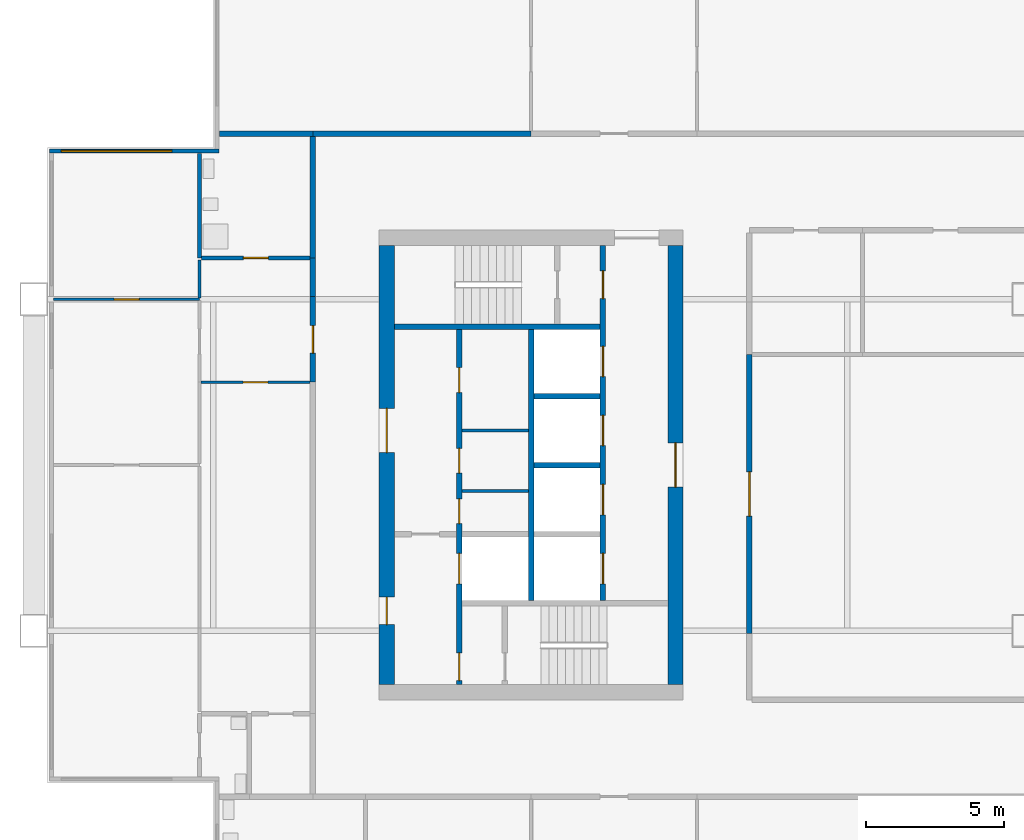
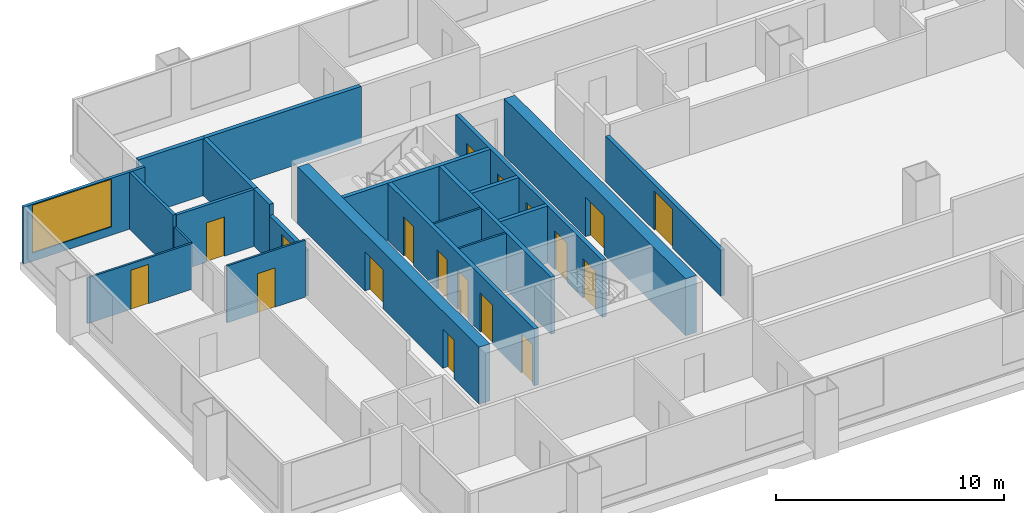
# One storey, part 3 of 8: 22 walls, 18 doors, 1 window, 19 openings.
"""IFC4 building model written with IfcOpenShell, lengths in metres."""

from ifc_helpers import new_model, si_unit, direction, frame, frame_2d, origin, place, context, subcontext, project, spatial, rectangle, extrude, material, layer, layer_set, type_object, element, fill, save


model = new_model("IFC4")

# Units and contexts
model_context = context("Model", 3, precision=1e-05, world=origin(), true_north=direction((0.0, 1.0)))
body_context = subcontext(model_context, "Body", "Model", "MODEL_VIEW")
ifc_project = project(units=[si_unit("LENGTHUNIT", "METRE"), si_unit("AREAUNIT", "SQUARE_METRE"), si_unit("VOLUMEUNIT", "CUBIC_METRE"), si_unit("PLANEANGLEUNIT", "RADIAN"), si_unit("MASSUNIT", "GRAM", prefix="KILO")], contexts=[model_context])

# Site, building, storey
site_placement = place(None, origin())
site = spatial("IfcSite", under=ifc_project, at=site_placement, CompositionType="ELEMENT")
building_placement = place(site_placement, origin())
building = spatial("IfcBuilding", under=site, at=building_placement, Name="Kitamizu Gate Tower and Museum", CompositionType="ELEMENT")
storey_placement = place(building_placement, frame((0.0, 0.0, 203.10009765625)))
storey = spatial("IfcBuildingStorey", under=building, at=storey_placement, Name="L54", CompositionType="ELEMENT", Elevation=203.10009765625)

# Wall, openings, doors
ifc_material_1 = material(Name="Concrete Fc42", Category="concrete")
ifc_layer_1 = layer(ifc_material_1, 0.550048828125)
ifc_layer_set_1 = layer_set([ifc_layer_1], Name="Concrete Fc42")
wall_type_1 = type_object("IfcWallType", Name="Core wall 550", PredefinedType="SHEAR", material=ifc_layer_set_1)
wall_1_placement = place(storey_placement, frame((12.77490234375, 22.050048828125, 0.0), z_axis=(0.0, 0.0, 1.0), x_axis=(0.0, 1.0, 0.0)))
wall_1 = element("IfcWall", 1, at=wall_1_placement, inside=storey, type_object=wall_type_1, Name="Core wall WOUT", PredefinedType="SHEAR", context=body_context, shape_type="SweptSolid", body=[
    extrude(rectangle(XDim=15.89990234375, YDim=0.550048828125, at=frame_2d((7.949951171875, 0.0))), origin(), (0.0, 0.0, 1.0), 3.0498046875),
])
opening_1_placement = place(wall_1_placement, frame((8.39990234375, 0.0, 0.0)))
opening_1 = element("IfcOpeningElement", 2, at=opening_1_placement, cuts=wall_1, Name="Opening L54-032", PredefinedType="OPENING", context=body_context, shape_type="SweptSolid", body=[
    extrude(rectangle(XDim=1.60009765625, YDim=2.10009765625, at=frame_2d((0.800048828125, 1.050048828125))), frame((0.0, 0.28515625, 0.0), z_axis=(0.0, -1.0, 0.0), x_axis=(1.0, 0.0, 0.0)), (0.0, 0.0, 1.0), 0.570068359375),
])
opening_2_placement = place(wall_1_placement, frame((2.175048828125, 0.0, 0.0)))
opening_2 = element("IfcOpeningElement", 3, at=opening_2_placement, cuts=wall_1, Name="Opening L54-033", PredefinedType="OPENING", context=body_context, shape_type="SweptSolid", body=[
    extrude(rectangle(XDim=1.0, YDim=2.10009765625, at=frame_2d((0.5, 1.050048828125))), frame((0.0, 0.28515625, 0.0), z_axis=(0.0, -1.0, 0.0), x_axis=(1.0, 0.0, 0.0)), (0.0, 0.0, 1.0), 0.570068359375),
])
ifc_material_2 = material(Name="Timber door set", Category="wood")
door_type_1 = type_object("IfcDoorType", Name="Entrance door 1600", OperationType="DOUBLE_DOOR_SINGLE_SWING", PredefinedType="DOOR", material=ifc_material_2)
door_1_placement = place(opening_1_placement, origin())
door_1 = element("IfcDoor", 4, at=door_1_placement, inside=storey, type_object=door_type_1, Name="Lobby door L54-032", OperationType="DOUBLE_DOOR_SINGLE_SWING", OverallHeight=2.10009765625, OverallWidth=1.60009765625, PredefinedType="DOOR", context=body_context, shape_type="SweptSolid", body=[
    extrude(rectangle(XDim=1.60009765625, YDim=2.10009765625, at=frame_2d((0.800048828125, 1.050048828125))), frame((0.0, 0.02490234375, 0.0), z_axis=(0.0, -1.0, 0.0), x_axis=(1.0, 0.0, 0.0)), (0.0, 0.0, 1.0), 0.050048828125),
])
fill(opening_1, door_1)
ifc_material_3 = material(Name="Hollow metal door set")
door_type_2 = type_object("IfcDoorType", Name="Fire door 1000", OperationType="NOTDEFINED", PredefinedType="DOOR", material=ifc_material_3)
door_2_placement = place(opening_2_placement, frame((1.0, 0.0, 0.0), x_axis=(-1.0, 0.0, 0.0)))
door_2 = element("IfcDoor", 5, at=door_2_placement, inside=storey, type_object=door_type_2, Name="Fire-fighting lobby door L54-033", OperationType="SINGLE_SWING_LEFT", OverallHeight=2.10009765625, OverallWidth=1.0, PredefinedType="DOOR", context=body_context, shape_type="SweptSolid", body=[
    extrude(rectangle(XDim=1.0, YDim=2.10009765625, at=frame_2d((0.5, 1.050048828125))), frame((0.0, 0.02490234375, 0.0), z_axis=(0.0, -1.0, 0.0), x_axis=(1.0, 0.0, 0.0)), (0.0, 0.0, 1.0), 0.050048828125),
])
fill(opening_2, door_2)

# Wall, opening, door
wall_2_placement = place(storey_placement, frame((23.22509765625, 22.050048828125, 0.0), z_axis=(0.0, 0.0, 1.0), x_axis=(0.0, 1.0, 0.0)))
wall_2 = element("IfcWall", 6, at=wall_2_placement, inside=storey, type_object=wall_type_1, Name="Core wall WARC", PredefinedType="SHEAR", context=body_context, shape_type="SweptSolid", body=[
    extrude(rectangle(XDim=15.89990234375, YDim=0.550048828125, at=frame_2d((7.949951171875, 0.0))), origin(), (0.0, 0.0, 1.0), 3.0498046875),
])
opening_3_placement = place(wall_2_placement, frame((7.14990234375, 0.0, 0.0)))
opening_3 = element("IfcOpeningElement", 7, at=opening_3_placement, cuts=wall_2, Name="Opening L54-035", PredefinedType="OPENING", context=body_context, shape_type="SweptSolid", body=[
    extrude(rectangle(XDim=1.60009765625, YDim=2.10009765625, at=frame_2d((0.800048828125, 1.050048828125))), frame((0.0, 0.28515625, 0.0), z_axis=(0.0, -1.0, 0.0), x_axis=(1.0, 0.0, 0.0)), (0.0, 0.0, 1.0), 0.570068359375),
])
door_3_placement = place(opening_3_placement, origin())
door_3 = element("IfcDoor", 8, at=door_3_placement, inside=storey, type_object=door_type_1, Name="Lobby door L54-035", OperationType="DOUBLE_DOOR_SINGLE_SWING", OverallHeight=2.10009765625, OverallWidth=1.60009765625, PredefinedType="DOOR", context=body_context, shape_type="SweptSolid", body=[
    extrude(rectangle(XDim=1.60009765625, YDim=2.10009765625, at=frame_2d((0.800048828125, 1.050048828125))), frame((0.0, 0.02490234375, 0.0), z_axis=(0.0, -1.0, 0.0), x_axis=(1.0, 0.0, 0.0)), (0.0, 0.0, 1.0), 0.050048828125),
])
fill(opening_3, door_3)

# Walls
ifc_material_4 = material(Name="Gypsum board on galvanised stud")
ifc_layer_2 = layer(ifc_material_4, 0.10009765625)
ifc_layer_set_2 = layer_set([ifc_layer_2], Name="Gypsum board on galvanised stud")
wall_type_2 = type_object("IfcWallType", Name="Partition 100", PredefinedType="PARTITIONING", material=ifc_layer_set_2)
for number, where, z_axis, x_axis, name in (
    (9, (15.5, 29.06005859375, 0.0), (0.0, 0.0, 1.0), (1.0, 0.0, 0.0), "Partition WPF1"),
    (10, (15.5, 31.25, 0.0), (0.0, 0.0, 1.0), (1.0, 0.0, 0.0), "Partition WPF2"),
):
    element("IfcWall", number, at=place(storey_placement, frame(where, z_axis=z_axis, x_axis=x_axis)), inside=storey, type_object=wall_type_2, Name=name, PredefinedType="PARTITIONING", context=body_context, shape_type="SweptSolid", body=[
        extrude(rectangle(XDim=2.39990234375, YDim=0.10009765625, at=frame_2d((1.199951171875, 0.0))), origin(), (0.0, 0.0, 1.0), 3.0498046875),
    ])

# Wall, opening, door
ifc_material_5 = material(Name="Gypsum board on galvanised stud")
ifc_layer_3 = layer(ifc_material_5, 0.10009765625)
ifc_layer_set_3 = layer_set([ifc_layer_3], Name="Gypsum board on galvanised stud")
wall_type_3 = type_object("IfcWallType", Name="Partition 100 NOT RATED", PredefinedType="PARTITIONING", material=ifc_layer_set_3)
wall_3_placement = place(storey_placement, frame((6.0, 36.0, 0.0), z_axis=(0.0, 0.0, 1.0), x_axis=(-1.0, 0.0, 0.0)))
wall_3 = element("IfcWall", 11, at=wall_3_placement, inside=storey, type_object=wall_type_3, Name="Partition L54-033", PredefinedType="PARTITIONING", context=body_context, shape_type="SweptSolid", body=[
    extrude(rectangle(XDim=5.280029296875, YDim=0.10009765625, at=frame_2d((2.64013671875, 0.0))), origin(), (0.0, 0.0, 1.0), 2.449951171875),
])
opening_4_placement = place(wall_3_placement, frame((2.18994140625, 0.0, 0.0)))
opening_4 = element("IfcOpeningElement", 12, at=opening_4_placement, cuts=wall_3, Name="Opening L54-018", PredefinedType="OPENING", context=body_context, shape_type="SweptSolid", body=[
    extrude(rectangle(XDim=0.89990234375, YDim=2.10009765625, at=frame_2d((0.449951171875, 1.050048828125))), frame((0.0, 0.06005859375, 0.0), z_axis=(0.0, -1.0, 0.0), x_axis=(1.0, 0.0, 0.0)), (0.0, 0.0, 1.0), 0.1201171875),
])
ifc_material_6 = material(Name="Timber door set", Category="wood")
door_type_3 = type_object("IfcDoorType", Name="Room door 900", OperationType="NOTDEFINED", PredefinedType="DOOR", material=ifc_material_6)
door_4_placement = place(opening_4_placement, frame((0.89990234375, 0.0, 0.0), x_axis=(-1.0, 0.0, 0.0)))
door_4 = element("IfcDoor", 13, at=door_4_placement, inside=storey, type_object=door_type_3, Name="Door L54-018", OperationType="SINGLE_SWING_RIGHT", OverallHeight=2.10009765625, OverallWidth=0.89990234375, PredefinedType="DOOR", context=body_context, shape_type="SweptSolid", body=[
    extrude(rectangle(XDim=0.89990234375, YDim=2.10009765625, at=frame_2d((0.449951171875, 1.050048828125))), frame((0.0, 0.02490234375, 0.0), z_axis=(0.0, -1.0, 0.0), x_axis=(1.0, 0.0, 0.0)), (0.0, 0.0, 1.0), 0.050048828125),
])
fill(opening_4, door_4)

# Wall
wall_4_placement = place(storey_placement, frame((6.0, 36.050048828125, 0.0), z_axis=(0.0, 0.0, 1.0), x_axis=(0.0, 1.0, 0.0)))
element("IfcWall", 14, at=wall_4_placement, inside=storey, type_object=wall_type_3, Name="Partition L54-036", PredefinedType="PARTITIONING", context=body_context, shape_type="SweptSolid", body=[
    extrude(rectangle(XDim=1.375, YDim=0.10009765625, at=frame_2d((0.6875, 0.0))), origin(), (0.0, 0.0, 1.0), 2.449951171875),
])

# Wall, opening, door
wall_5_placement = place(storey_placement, frame((10.0, 33.0, 0.0), z_axis=(0.0, 0.0, 1.0), x_axis=(-1.0, 0.0, 0.0)))
wall_5 = element("IfcWall", 15, at=wall_5_placement, inside=storey, type_object=wall_type_3, Name="Partition L54-042", PredefinedType="PARTITIONING", context=body_context, shape_type="SweptSolid", body=[
    extrude(rectangle(XDim=3.949951171875, YDim=0.10009765625, at=frame_2d((1.97509765625, 0.0))), origin(), (0.0, 0.0, 1.0), 3.0498046875),
])
opening_5_placement = place(wall_5_placement, frame((1.52490234375, 0.0, 0.0)))
opening_5 = element("IfcOpeningElement", 16, at=opening_5_placement, cuts=wall_5, Name="Opening L54-015", PredefinedType="OPENING", context=body_context, shape_type="SweptSolid", body=[
    extrude(rectangle(XDim=0.89990234375, YDim=2.10009765625, at=frame_2d((0.449951171875, 1.050048828125))), frame((0.0, 0.06005859375, 0.0), z_axis=(0.0, -1.0, 0.0), x_axis=(1.0, 0.0, 0.0)), (0.0, 0.0, 1.0), 0.1201171875),
])
door_5_placement = place(opening_5_placement, frame((0.89990234375, 0.0, 0.0), x_axis=(-1.0, 0.0, 0.0)))
door_5 = element("IfcDoor", 17, at=door_5_placement, inside=storey, type_object=door_type_3, Name="Door L54-015", OperationType="SINGLE_SWING_LEFT", OverallHeight=2.10009765625, OverallWidth=0.89990234375, PredefinedType="DOOR", context=body_context, shape_type="SweptSolid", body=[
    extrude(rectangle(XDim=0.89990234375, YDim=2.10009765625, at=frame_2d((0.449951171875, 1.050048828125))), frame((0.0, 0.02490234375, 0.0), z_axis=(0.0, -1.0, 0.0), x_axis=(1.0, 0.0, 0.0)), (0.0, 0.0, 1.0), 0.050048828125),
])
fill(opening_5, door_5)

# Wall
ifc_material_7 = material(Name="Gypsum board on galvanised stud")
ifc_layer_4 = layer(ifc_material_7, 0.14990234375)
ifc_layer_set_4 = layer_set([ifc_layer_4], Name="Gypsum board on galvanised stud")
wall_type_4 = type_object("IfcWallType", Name="Partition 150", PredefinedType="PARTITIONING", material=ifc_layer_set_4)
wall_6_placement = place(storey_placement, frame((6.0, 37.5, 0.0), z_axis=(0.0, 0.0, 1.0), x_axis=(0.0, 1.0, 0.0)))
element("IfcWall", 18, at=wall_6_placement, inside=storey, type_object=wall_type_4, Name="Partition L54-037", PredefinedType="PARTITIONING", context=body_context, shape_type="SweptSolid", body=[
    extrude(rectangle(XDim=3.780029296875, YDim=0.14990234375, at=frame_2d((1.89013671875, 0.0))), origin(), (0.0, 0.0, 1.0), 3.0498046875),
])

# Wall, opening, door
wall_7_placement = place(storey_placement, frame((10.0, 37.5, 0.0), z_axis=(0.0, 0.0, 1.0), x_axis=(-1.0, 0.0, 0.0)))
wall_7 = element("IfcWall", 19, at=wall_7_placement, inside=storey, type_object=wall_type_4, Name="Partition L54-045", PredefinedType="PARTITIONING", context=body_context, shape_type="SweptSolid", body=[
    extrude(rectangle(XDim=3.925048828125, YDim=0.14990234375, at=frame_2d((1.96240234375, 0.0))), origin(), (0.0, 0.0, 1.0), 3.0498046875),
])
opening_6_placement = place(wall_7_placement, frame((1.512451171875, 0.0, 0.0)))
opening_6 = element("IfcOpeningElement", 20, at=opening_6_placement, cuts=wall_7, Name="Opening L54-017", PredefinedType="OPENING", context=body_context, shape_type="SweptSolid", body=[
    extrude(rectangle(XDim=0.89990234375, YDim=2.10009765625, at=frame_2d((0.449951171875, 1.050048828125))), frame((0.0, 0.0849609375, 0.0), z_axis=(0.0, -1.0, 0.0), x_axis=(1.0, 0.0, 0.0)), (0.0, 0.0, 1.0), 0.169921875),
])
ifc_material_8 = material(Name="Timber door set", Category="wood")
door_type_4 = type_object("IfcDoorType", Name="Bathroom door 900", OperationType="NOTDEFINED", PredefinedType="DOOR", material=ifc_material_8)
door_6_placement = place(opening_6_placement, frame((0.89990234375, 0.0, 0.0), x_axis=(-1.0, 0.0, 0.0)))
door_6 = element("IfcDoor", 21, at=door_6_placement, inside=storey, type_object=door_type_4, Name="Bathroom door L54-017", OperationType="SINGLE_SWING_LEFT", OverallHeight=2.10009765625, OverallWidth=0.89990234375, PredefinedType="DOOR", context=body_context, shape_type="SweptSolid", body=[
    extrude(rectangle(XDim=0.89990234375, YDim=2.10009765625, at=frame_2d((0.449951171875, 1.050048828125))), frame((0.0, 0.02490234375, 0.0), z_axis=(0.0, -1.0, 0.0), x_axis=(1.0, 0.0, 0.0)), (0.0, 0.0, 1.0), 0.050048828125),
])
fill(opening_6, door_6)

# Walls
ifc_material_9 = material(Name="Gypsum board on galvanised stud")
ifc_layer_5 = layer(ifc_material_9, 0.199951171875)
ifc_layer_set_5 = layer_set([ifc_layer_5], Name="Gypsum board on galvanised stud")
wall_type_5 = type_object("IfcWallType", Name="Partition 200", PredefinedType="PARTITIONING", material=ifc_layer_set_5)
wall_8_placement = place(storey_placement, frame((6.719970703125, 42.0, 0.0), z_axis=(0.0, 0.0, 1.0), x_axis=(1.0, 0.0, 0.0)))
element("IfcWall", 22, at=wall_8_placement, inside=storey, type_object=wall_type_5, Name="Partition L54-018", PredefinedType="PARTITIONING", context=body_context, shape_type="SweptSolid", body=[
    extrude(rectangle(XDim=3.380126953125, YDim=0.199951171875, at=frame_2d((1.68994140625, 0.0))), origin(), (0.0, 0.0, 1.0), 3.0498046875),
])
wall_9_placement = place(storey_placement, frame((10.10009765625, 42.0, 0.0), z_axis=(0.0, 0.0, 1.0), x_axis=(1.0, 0.0, 0.0)))
element("IfcWall", 23, at=wall_9_placement, inside=storey, type_object=wall_type_5, Name="Partition L54-019", PredefinedType="PARTITIONING", context=body_context, shape_type="SweptSolid", body=[
    extrude(rectangle(XDim=7.89990234375, YDim=0.199951171875, at=frame_2d((3.949951171875, 0.0))), origin(), (0.0, 0.0, 1.0), 3.0498046875),
])

# Wall, opening, door
wall_10_placement = place(storey_placement, frame((10.10009765625, 33.0, 0.0), z_axis=(0.0, 0.0, 1.0), x_axis=(0.0, 1.0, 0.0)))
wall_10 = element("IfcWall", 24, at=wall_10_placement, inside=storey, type_object=wall_type_5, Name="Partition L54-046", PredefinedType="PARTITIONING", context=body_context, shape_type="SweptSolid", body=[
    extrude(rectangle(XDim=3.10009765625, YDim=0.199951171875, at=frame_2d((1.550048828125, 0.0))), origin(), (0.0, 0.0, 1.0), 2.449951171875),
])
opening_7_placement = place(wall_10_placement, frame((1.050048828125, 0.0, 0.0)))
opening_7 = element("IfcOpeningElement", 25, at=opening_7_placement, cuts=wall_10, Name="Opening L54-013", PredefinedType="OPENING", context=body_context, shape_type="SweptSolid", body=[
    extrude(rectangle(XDim=1.0, YDim=2.10009765625, at=frame_2d((0.5, 1.050048828125))), frame((0.0, 0.10986328125, 0.0), z_axis=(0.0, -1.0, 0.0), x_axis=(1.0, 0.0, 0.0)), (0.0, 0.0, 1.0), 0.219970703125),
])
ifc_material_10 = material(Name="Timber door set", Category="wood")
door_type_5 = type_object("IfcDoorType", Name="Flat entrance door 1000", OperationType="NOTDEFINED", PredefinedType="DOOR", material=ifc_material_10)
door_7_placement = place(opening_7_placement, origin())
door_7 = element("IfcDoor", 26, at=door_7_placement, inside=storey, type_object=door_type_5, Name="Flat entrance door L54-013", OperationType="SINGLE_SWING_RIGHT", OverallHeight=2.10009765625, OverallWidth=1.0, PredefinedType="DOOR", context=body_context, shape_type="SweptSolid", body=[
    extrude(rectangle(XDim=1.0, YDim=2.10009765625, at=frame_2d((0.5, 1.050048828125))), frame((0.0, 0.02490234375, 0.0), z_axis=(0.0, -1.0, 0.0), x_axis=(1.0, 0.0, 0.0)), (0.0, 0.0, 1.0), 0.050048828125),
])
fill(opening_7, door_7)

# Walls
wall_11_placement = place(storey_placement, frame((10.10009765625, 36.10009765625, 0.0), z_axis=(0.0, 0.0, 1.0), x_axis=(0.0, 1.0, 0.0)))
element("IfcWall", 27, at=wall_11_placement, inside=storey, type_object=wall_type_5, Name="Partition L54-047", PredefinedType="PARTITIONING", context=body_context, shape_type="SweptSolid", body=[
    extrude(rectangle(XDim=1.39990234375, YDim=0.199951171875, at=frame_2d((0.699951171875, 0.0))), origin(), (0.0, 0.0, 1.0), 3.0498046875),
])
wall_12_placement = place(storey_placement, frame((10.10009765625, 37.5, 0.0), z_axis=(0.0, 0.0, 1.0), x_axis=(0.0, 1.0, 0.0)))
element("IfcWall", 28, at=wall_12_placement, inside=storey, type_object=wall_type_5, Name="Partition L54-048", PredefinedType="PARTITIONING", context=body_context, shape_type="SweptSolid", body=[
    extrude(rectangle(XDim=4.39990234375, YDim=0.199951171875, at=frame_2d((2.199951171875, 0.0))), origin(), (0.0, 0.0, 1.0), 3.0498046875),
])

# Wall, opening, door
wall_13_placement = place(storey_placement, frame((25.89990234375, 34.0, 0.0), z_axis=(0.0, 0.0, 1.0), x_axis=(0.0, -1.0, 0.0)))
wall_13 = element("IfcWall", 29, at=wall_13_placement, inside=storey, type_object=wall_type_5, Name="Partition L54-049", PredefinedType="PARTITIONING", context=body_context, shape_type="SweptSolid", body=[
    extrude(rectangle(XDim=10.10009765625, YDim=0.199951171875, at=frame_2d((5.050048828125, 0.0))), origin(), (0.0, 0.0, 1.0), 2.449951171875),
])
opening_8_placement = place(wall_13_placement, frame((4.25, 0.0, 0.0)))
opening_8 = element("IfcOpeningElement", 30, at=opening_8_placement, cuts=wall_13, Name="Opening L54-022", PredefinedType="OPENING", context=body_context, shape_type="SweptSolid", body=[
    extrude(rectangle(XDim=1.60009765625, YDim=2.10009765625, at=frame_2d((0.800048828125, 1.050048828125))), frame((0.0, 0.10986328125, 0.0), z_axis=(0.0, -1.0, 0.0), x_axis=(1.0, 0.0, 0.0)), (0.0, 0.0, 1.0), 0.219970703125),
])
ifc_material_11 = material(Name="Timber door set", Category="wood")
door_type_6 = type_object("IfcDoorType", Name="Double door 1600", OperationType="DOUBLE_DOOR_SINGLE_SWING", PredefinedType="DOOR", material=ifc_material_11)
door_8_placement = place(opening_8_placement, origin())
door_8 = element("IfcDoor", 31, at=door_8_placement, inside=storey, type_object=door_type_6, Name="Double door L54-022", OperationType="DOUBLE_DOOR_SINGLE_SWING", OverallHeight=2.10009765625, OverallWidth=1.60009765625, PredefinedType="DOOR", context=body_context, shape_type="SweptSolid", body=[
    extrude(rectangle(XDim=1.60009765625, YDim=2.10009765625, at=frame_2d((0.800048828125, 1.050048828125))), frame((0.0, 0.02490234375, 0.0), z_axis=(0.0, -1.0, 0.0), x_axis=(1.0, 0.0, 0.0)), (0.0, 0.0, 1.0), 0.050048828125),
])
fill(opening_8, door_8)

# Wall, openings, doors
ifc_material_12 = material(Name="Concrete Fc42", Category="concrete")
ifc_layer_6 = layer(ifc_material_12, 0.199951171875)
ifc_layer_set_6 = layer_set([ifc_layer_6], Name="Concrete Fc42")
wall_type_6 = type_object("IfcWallType", Name="Shaft wall 200", PredefinedType="SOLIDWALL", material=ifc_layer_set_6)
wall_14_placement = place(storey_placement, frame((15.39990234375, 22.050048828125, 0.0), z_axis=(0.0, 0.0, 1.0), x_axis=(0.0, 1.0, 0.0)))
wall_14 = element("IfcWall", 32, at=wall_14_placement, inside=storey, type_object=wall_type_6, Name="Shaft wall WWEST", PredefinedType="SOLIDWALL", context=body_context, shape_type="SweptSolid", body=[
    extrude(rectangle(XDim=12.849853515625, YDim=0.199951171875, at=frame_2d((6.4248046875, 0.0))), origin(), (0.0, 0.0, 1.0), 3.0498046875),
])
opening_9_placement = place(wall_14_placement, frame((3.64990234375, 0.0, 0.0)))
opening_9 = element("IfcOpeningElement", 33, at=opening_9_placement, cuts=wall_14, Name="Opening LD", PredefinedType="OPENING", context=body_context, shape_type="SweptSolid", body=[
    extrude(rectangle(XDim=1.10009765625, YDim=2.10009765625, at=frame_2d((0.550048828125, 1.050048828125))), frame((0.0, 0.10986328125, 0.0), z_axis=(0.0, -1.0, 0.0), x_axis=(1.0, 0.0, 0.0)), (0.0, 0.0, 1.0), 0.219970703125),
])
opening_10_placement = place(wall_14_placement, frame((0.14990234375, 0.0, 0.0)))
opening_10 = element("IfcOpeningElement", 34, at=opening_10_placement, cuts=wall_14, Name="Opening L54-028", PredefinedType="OPENING", context=body_context, shape_type="SweptSolid", body=[
    extrude(rectangle(XDim=1.0, YDim=2.10009765625, at=frame_2d((0.5, 1.050048828125))), frame((0.0, 0.10986328125, 0.0), z_axis=(0.0, -1.0, 0.0), x_axis=(1.0, 0.0, 0.0)), (0.0, 0.0, 1.0), 0.219970703125),
])
opening_11_placement = place(wall_14_placement, frame((5.830078125, 0.0, 0.0)))
opening_11 = element("IfcOpeningElement", 35, at=opening_11_placement, cuts=wall_14, Name="Opening L54-036", PredefinedType="OPENING", context=body_context, shape_type="SweptSolid", body=[
    extrude(rectangle(XDim=0.89990234375, YDim=2.10009765625, at=frame_2d((0.449951171875, 1.050048828125))), frame((0.0, 0.10986328125, 0.0), z_axis=(0.0, -1.0, 0.0), x_axis=(1.0, 0.0, 0.0)), (0.0, 0.0, 1.0), 0.219970703125),
])
opening_12_placement = place(wall_14_placement, frame((7.655029296875, 0.0, 0.0)))
opening_12 = element("IfcOpeningElement", 36, at=opening_12_placement, cuts=wall_14, Name="Opening L54-037", PredefinedType="OPENING", context=body_context, shape_type="SweptSolid", body=[
    extrude(rectangle(XDim=0.89990234375, YDim=2.10009765625, at=frame_2d((0.449951171875, 1.050048828125))), frame((0.0, 0.10986328125, 0.0), z_axis=(0.0, -1.0, 0.0), x_axis=(1.0, 0.0, 0.0)), (0.0, 0.0, 1.0), 0.219970703125),
])
opening_13_placement = place(wall_14_placement, frame((10.574951171875, 0.0, 0.0)))
opening_13 = element("IfcOpeningElement", 37, at=opening_13_placement, cuts=wall_14, Name="Opening L54-038", PredefinedType="OPENING", context=body_context, shape_type="SweptSolid", body=[
    extrude(rectangle(XDim=0.89990234375, YDim=2.10009765625, at=frame_2d((0.449951171875, 1.050048828125))), frame((0.0, 0.10986328125, 0.0), z_axis=(0.0, -1.0, 0.0), x_axis=(1.0, 0.0, 0.0)), (0.0, 0.0, 1.0), 0.219970703125),
])
door_9_placement = place(opening_10_placement, frame((1.0, 0.0, 0.0), x_axis=(-1.0, 0.0, 0.0)))
door_9 = element("IfcDoor", 38, at=door_9_placement, inside=storey, type_object=door_type_2, Name="Stair lobby door L54-028", OperationType="SINGLE_SWING_LEFT", OverallHeight=2.10009765625, OverallWidth=1.0, PredefinedType="DOOR", context=body_context, shape_type="SweptSolid", body=[
    extrude(rectangle(XDim=1.0, YDim=2.10009765625, at=frame_2d((0.5, 1.050048828125))), frame((0.0, 0.02490234375, 0.0), z_axis=(0.0, -1.0, 0.0), x_axis=(1.0, 0.0, 0.0)), (0.0, 0.0, 1.0), 0.050048828125),
])
fill(opening_10, door_9)
ifc_material_13 = material(Name="Hollow metal door set")
door_type_7 = type_object("IfcDoorType", Name="Landing door 1100", OperationType="SLIDING_TO_LEFT", PredefinedType="DOOR", material=ifc_material_13)
door_10_placement = place(opening_9_placement, origin())
door_10 = element("IfcDoor", 39, at=door_10_placement, inside=storey, type_object=door_type_7, Name="Landing door WFF1", OperationType="SLIDING_TO_LEFT", OverallHeight=2.10009765625, OverallWidth=1.10009765625, PredefinedType="DOOR", context=body_context, shape_type="SweptSolid", body=[
    extrude(rectangle(XDim=1.10009765625, YDim=2.10009765625, at=frame_2d((0.550048828125, 1.050048828125))), frame((0.0, 0.02490234375, 0.0), z_axis=(0.0, -1.0, 0.0), x_axis=(1.0, 0.0, 0.0)), (0.0, 0.0, 1.0), 0.050048828125),
])
fill(opening_9, door_10)
ifc_material_14 = material(Name="Timber door set", Category="wood")
door_type_8 = type_object("IfcDoorType", Name="Service door 900", OperationType="NOTDEFINED", PredefinedType="DOOR", material=ifc_material_14)
door_11_placement = place(opening_11_placement, frame((0.89990234375, 0.0, 0.0), x_axis=(-1.0, 0.0, 0.0)))
door_11 = element("IfcDoor", 40, at=door_11_placement, inside=storey, type_object=door_type_8, Name="Service door L54-036", OperationType="SINGLE_SWING_RIGHT", OverallHeight=2.10009765625, OverallWidth=0.89990234375, PredefinedType="DOOR", context=body_context, shape_type="SweptSolid", body=[
    extrude(rectangle(XDim=0.89990234375, YDim=2.10009765625, at=frame_2d((0.449951171875, 1.050048828125))), frame((0.0, 0.02490234375, 0.0), z_axis=(0.0, -1.0, 0.0), x_axis=(1.0, 0.0, 0.0)), (0.0, 0.0, 1.0), 0.050048828125),
])
fill(opening_11, door_11)
door_12_placement = place(opening_12_placement, frame((0.89990234375, 0.0, 0.0), x_axis=(-1.0, 0.0, 0.0)))
door_12 = element("IfcDoor", 41, at=door_12_placement, inside=storey, type_object=door_type_8, Name="Service door L54-037", OperationType="SINGLE_SWING_LEFT", OverallHeight=2.10009765625, OverallWidth=0.89990234375, PredefinedType="DOOR", context=body_context, shape_type="SweptSolid", body=[
    extrude(rectangle(XDim=0.89990234375, YDim=2.10009765625, at=frame_2d((0.449951171875, 1.050048828125))), frame((0.0, 0.02490234375, 0.0), z_axis=(0.0, -1.0, 0.0), x_axis=(1.0, 0.0, 0.0)), (0.0, 0.0, 1.0), 0.050048828125),
])
fill(opening_12, door_12)
door_13_placement = place(opening_13_placement, frame((0.89990234375, 0.0, 0.0), x_axis=(-1.0, 0.0, 0.0)))
door_13 = element("IfcDoor", 42, at=door_13_placement, inside=storey, type_object=door_type_8, Name="Service door L54-038", OperationType="SINGLE_SWING_RIGHT", OverallHeight=2.10009765625, OverallWidth=0.89990234375, PredefinedType="DOOR", context=body_context, shape_type="SweptSolid", body=[
    extrude(rectangle(XDim=0.89990234375, YDim=2.10009765625, at=frame_2d((0.449951171875, 1.050048828125))), frame((0.0, 0.02490234375, 0.0), z_axis=(0.0, -1.0, 0.0), x_axis=(1.0, 0.0, 0.0)), (0.0, 0.0, 1.0), 0.050048828125),
])
fill(opening_13, door_13)

wall_15_placement = place(storey_placement, frame((20.60009765625, 25.10009765625, 0.0), z_axis=(0.0, 0.0, 1.0), x_axis=(0.0, 1.0, 0.0)))
wall_15 = element("IfcWall", 43, at=wall_15_placement, inside=storey, type_object=wall_type_6, Name="Shaft wall WEAST", PredefinedType="SOLIDWALL", context=body_context, shape_type="SweptSolid", body=[
    extrude(rectangle(XDim=12.849853515625, YDim=0.199951171875, at=frame_2d((6.4248046875, 0.0))), origin(), (0.0, 0.0, 1.0), 3.0498046875),
])
opening_14_placement = place(wall_15_placement, frame((0.60009765625, 0.0, 0.0)))
opening_14 = element("IfcOpeningElement", 44, at=opening_14_placement, cuts=wall_15, Name="Opening LD", PredefinedType="OPENING", context=body_context, shape_type="SweptSolid", body=[
    extrude(rectangle(XDim=1.10009765625, YDim=2.10009765625, at=frame_2d((0.550048828125, 1.050048828125))), frame((0.0, 0.10986328125, 0.0), z_axis=(0.0, -1.0, 0.0), x_axis=(1.0, 0.0, 0.0)), (0.0, 0.0, 1.0), 0.219970703125),
])
opening_15_placement = place(wall_15_placement, frame((3.10009765625, 0.0, 0.0)))
opening_15 = element("IfcOpeningElement", 45, at=opening_15_placement, cuts=wall_15, Name="Opening LD", PredefinedType="OPENING", context=body_context, shape_type="SweptSolid", body=[
    extrude(rectangle(XDim=1.10009765625, YDim=2.10009765625, at=frame_2d((0.550048828125, 1.050048828125))), frame((0.0, 0.10986328125, 0.0), z_axis=(0.0, -1.0, 0.0), x_axis=(1.0, 0.0, 0.0)), (0.0, 0.0, 1.0), 0.219970703125),
])
opening_16_placement = place(wall_15_placement, frame((5.60009765625, 0.0, 0.0)))
opening_16 = element("IfcOpeningElement", 46, at=opening_16_placement, cuts=wall_15, Name="Opening LD", PredefinedType="OPENING", context=body_context, shape_type="SweptSolid", body=[
    extrude(rectangle(XDim=1.10009765625, YDim=2.10009765625, at=frame_2d((0.550048828125, 1.050048828125))), frame((0.0, 0.10986328125, 0.0), z_axis=(0.0, -1.0, 0.0), x_axis=(1.0, 0.0, 0.0)), (0.0, 0.0, 1.0), 0.219970703125),
])
opening_17_placement = place(wall_15_placement, frame((8.10009765625, 0.0, 0.0)))
opening_17 = element("IfcOpeningElement", 47, at=opening_17_placement, cuts=wall_15, Name="Opening LD", PredefinedType="OPENING", context=body_context, shape_type="SweptSolid", body=[
    extrude(rectangle(XDim=1.10009765625, YDim=2.10009765625, at=frame_2d((0.550048828125, 1.050048828125))), frame((0.0, 0.10986328125, 0.0), z_axis=(0.0, -1.0, 0.0), x_axis=(1.0, 0.0, 0.0)), (0.0, 0.0, 1.0), 0.219970703125),
])
opening_18_placement = place(wall_15_placement, frame((10.925048828125, 0.0, 0.0)))
opening_18 = element("IfcOpeningElement", 48, at=opening_18_placement, cuts=wall_15, Name="Opening L54-029", PredefinedType="OPENING", context=body_context, shape_type="SweptSolid", body=[
    extrude(rectangle(XDim=1.0, YDim=2.10009765625, at=frame_2d((0.5, 1.050048828125))), frame((0.0, 0.10986328125, 0.0), z_axis=(0.0, -1.0, 0.0), x_axis=(1.0, 0.0, 0.0)), (0.0, 0.0, 1.0), 0.219970703125),
])
door_14_placement = place(opening_18_placement, origin())
door_14 = element("IfcDoor", 49, at=door_14_placement, inside=storey, type_object=door_type_2, Name="Stair lobby door L54-029", OperationType="SINGLE_SWING_LEFT", OverallHeight=2.10009765625, OverallWidth=1.0, PredefinedType="DOOR", context=body_context, shape_type="SweptSolid", body=[
    extrude(rectangle(XDim=1.0, YDim=2.10009765625, at=frame_2d((0.5, 1.050048828125))), frame((0.0, 0.02490234375, 0.0), z_axis=(0.0, -1.0, 0.0), x_axis=(1.0, 0.0, 0.0)), (0.0, 0.0, 1.0), 0.050048828125),
])
fill(opening_18, door_14)
door_15_placement = place(opening_14_placement, origin())
door_15 = element("IfcDoor", 50, at=door_15_placement, inside=storey, type_object=door_type_7, Name="Landing door WSV1", OperationType="SLIDING_TO_LEFT", OverallHeight=2.10009765625, OverallWidth=1.10009765625, PredefinedType="DOOR", context=body_context, shape_type="SweptSolid", body=[
    extrude(rectangle(XDim=1.10009765625, YDim=2.10009765625, at=frame_2d((0.550048828125, 1.050048828125))), frame((0.0, 0.02490234375, 0.0), z_axis=(0.0, -1.0, 0.0), x_axis=(1.0, 0.0, 0.0)), (0.0, 0.0, 1.0), 0.050048828125),
])
fill(opening_14, door_15)
door_16_placement = place(opening_15_placement, origin())
door_16 = element("IfcDoor", 51, at=door_16_placement, inside=storey, type_object=door_type_7, Name="Landing door WH1", OperationType="SLIDING_TO_LEFT", OverallHeight=2.10009765625, OverallWidth=1.10009765625, PredefinedType="DOOR", context=body_context, shape_type="SweptSolid", body=[
    extrude(rectangle(XDim=1.10009765625, YDim=2.10009765625, at=frame_2d((0.550048828125, 1.050048828125))), frame((0.0, 0.02490234375, 0.0), z_axis=(0.0, -1.0, 0.0), x_axis=(1.0, 0.0, 0.0)), (0.0, 0.0, 1.0), 0.050048828125),
])
fill(opening_15, door_16)
door_17_placement = place(opening_16_placement, origin())
door_17 = element("IfcDoor", 52, at=door_17_placement, inside=storey, type_object=door_type_7, Name="Landing door WH2", OperationType="SLIDING_TO_LEFT", OverallHeight=2.10009765625, OverallWidth=1.10009765625, PredefinedType="DOOR", context=body_context, shape_type="SweptSolid", body=[
    extrude(rectangle(XDim=1.10009765625, YDim=2.10009765625, at=frame_2d((0.550048828125, 1.050048828125))), frame((0.0, 0.02490234375, 0.0), z_axis=(0.0, -1.0, 0.0), x_axis=(1.0, 0.0, 0.0)), (0.0, 0.0, 1.0), 0.050048828125),
])
fill(opening_16, door_17)
door_18_placement = place(opening_17_placement, origin())
door_18 = element("IfcDoor", 53, at=door_18_placement, inside=storey, type_object=door_type_7, Name="Landing door WH3", OperationType="SLIDING_TO_LEFT", OverallHeight=2.10009765625, OverallWidth=1.10009765625, PredefinedType="DOOR", context=body_context, shape_type="SweptSolid", body=[
    extrude(rectangle(XDim=1.10009765625, YDim=2.10009765625, at=frame_2d((0.550048828125, 1.050048828125))), frame((0.0, 0.02490234375, 0.0), z_axis=(0.0, -1.0, 0.0), x_axis=(1.0, 0.0, 0.0)), (0.0, 0.0, 1.0), 0.050048828125),
])
fill(opening_17, door_18)

# Walls
wall_16_placement = place(storey_placement, frame((18.0, 25.10009765625, 0.0), z_axis=(0.0, 0.0, 1.0), x_axis=(0.0, 1.0, 0.0)))
element("IfcWall", 54, at=wall_16_placement, inside=storey, type_object=wall_type_6, Name="Shaft wall WMID", PredefinedType="SOLIDWALL", context=body_context, shape_type="SweptSolid", body=[
    extrude(rectangle(XDim=9.7998046875, YDim=0.199951171875, at=frame_2d((4.89990234375, 0.0))), origin(), (0.0, 0.0, 1.0), 3.0498046875),
])
wall_17_placement = place(storey_placement, frame((13.050048828125, 35.0, 0.0), z_axis=(0.0, 0.0, 1.0), x_axis=(1.0, 0.0, 0.0)))
element("IfcWall", 55, at=wall_17_placement, inside=storey, type_object=wall_type_6, Name="Shaft wall WNB", PredefinedType="SOLIDWALL", context=body_context, shape_type="SweptSolid", body=[
    extrude(rectangle(XDim=7.449951171875, YDim=0.199951171875, at=frame_2d((3.72509765625, 0.0))), origin(), (0.0, 0.0, 1.0), 3.0498046875),
])
for number, where, z_axis, x_axis, name in (
    (56, (18.10009765625, 30.0, 0.0), (0.0, 0.0, 1.0), (1.0, 0.0, 0.0), "Shaft wall WDVE1"),
    (57, (18.10009765625, 32.5, 0.0), (0.0, 0.0, 1.0), (1.0, 0.0, 0.0), "Shaft wall WDVE2"),
):
    element("IfcWall", number, at=place(storey_placement, frame(where, z_axis=z_axis, x_axis=x_axis)), inside=storey, type_object=wall_type_6, Name=name, PredefinedType="SOLIDWALL", context=body_context, shape_type="SweptSolid", body=[
        extrude(rectangle(XDim=2.39990234375, YDim=0.199951171875, at=frame_2d((1.199951171875, 0.0))), origin(), (0.0, 0.0, 1.0), 3.0498046875),
    ])

# Wall, opening, window
ifc_material_15 = material(Name="Bronze anodised aluminium frame with insulated spandrel and tinted glass", Category="aluminium")
ifc_layer_7 = layer(ifc_material_15, 0.14990234375)
ifc_layer_set_7 = layer_set([ifc_layer_7], Name="Bronze anodised aluminium frame with insulated spandrel and tinted glass")
wall_type_7 = type_object("IfcWallType", Name="WINDOW WALL 150 BRONZE FRAME EI 30", PredefinedType="ELEMENTEDWALL", material=ifc_layer_set_7)
wall_18_placement = place(storey_placement, frame((0.56005859375, 41.364990234375, 0.0), z_axis=(0.0, 0.0, 1.0), x_axis=(1.0, 0.0, 0.0)))
wall_18 = element("IfcWall", 58, at=wall_18_placement, inside=storey, type_object=wall_type_7, Name="Window wall north L54", PredefinedType="ELEMENTEDWALL", context=body_context, shape_type="SweptSolid", body=[
    extrude(rectangle(XDim=6.14990234375, YDim=0.14990234375, at=frame_2d((3.074951171875, 0.0))), origin(), (0.0, 0.0, 1.0), 3.0498046875),
])
opening_19_placement = place(wall_18_placement, frame((0.43994140625, 0.0, 0.449951171875)))
opening_19 = element("IfcOpeningElement", 59, at=opening_19_placement, cuts=wall_18, Name="Opening W16", PredefinedType="OPENING", context=body_context, shape_type="SweptSolid", body=[
    extrude(rectangle(XDim=4.0, YDim=2.550048828125, at=frame_2d((2.0, 1.27490234375))), frame((0.0, 0.0849609375, 0.0), z_axis=(0.0, -1.0, 0.0), x_axis=(1.0, 0.0, 0.0)), (0.0, 0.0, 1.0), 0.169921875),
])
ifc_material_16 = material(Name="Bronze anodised aluminium frame, tinted triple glazing", Category="aluminium")
window_type = type_object("IfcWindowType", Name="WINDOW 4000 x 2550 SILL 450", PartitioningType="SINGLE_PANEL", PredefinedType="WINDOW", material=ifc_material_16)
window_placement = place(opening_19_placement, origin())
window = element("IfcWindow", 60, at=window_placement, inside=storey, type_object=window_type, Name="Window W16 L54", OverallHeight=2.550048828125, OverallWidth=4.0, PartitioningType="SINGLE_PANEL", PredefinedType="WINDOW", context=body_context, shape_type="SweptSolid", body=[
    extrude(rectangle(XDim=4.0, YDim=2.550048828125, at=frame_2d((2.0, 1.27490234375))), frame((0.0, 0.030029296875, 0.0), z_axis=(0.0, -1.0, 0.0), x_axis=(1.0, 0.0, 0.0)), (0.0, 0.0, 1.0), 0.06005859375),
])
fill(opening_19, window)

save(model, "model.ifc")
